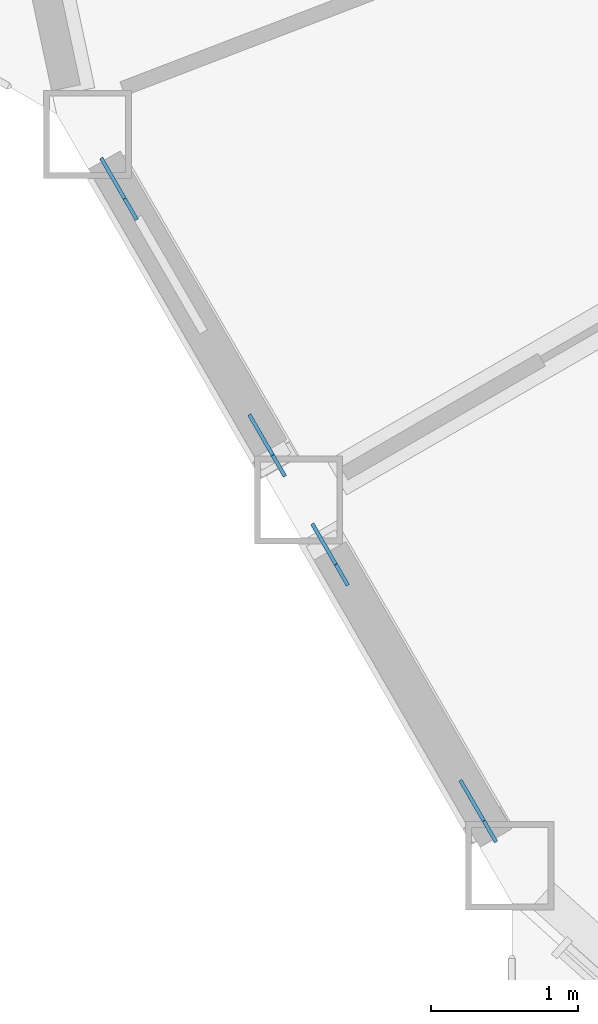
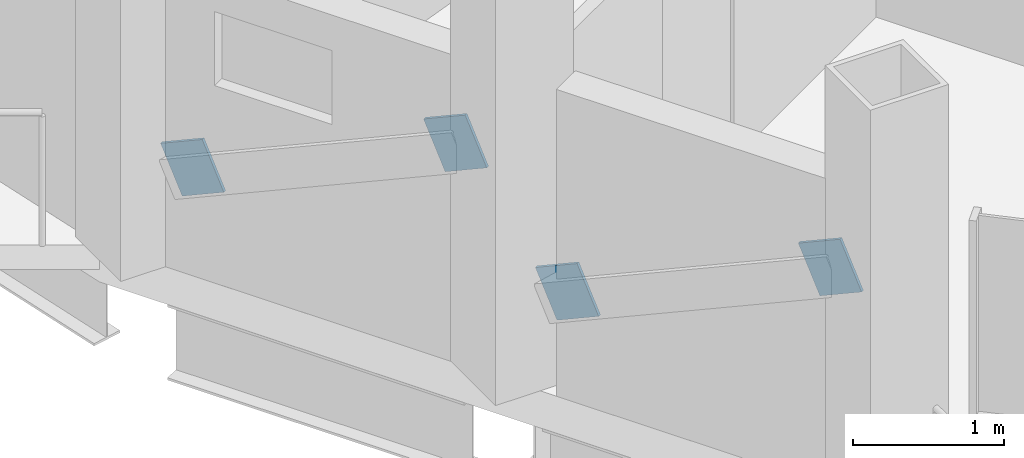
# One storey, part 20 of 27: 4 discrete accessories.
"""IFC4 building model written with IfcOpenShell, lengths in metres."""

from ifc_helpers import new_model, si_unit, direction, frame, origin, origin_2d, place, context, subcontext, project, spatial, rectangle, extrude, material, material_profile, profile_set, type_object, element, save


model = new_model("IFC4")

# Units and contexts
model_context = context("Model", 3, precision=1e-05, world=origin(), true_north=direction((0.0, 1.0)))
body_context = subcontext(model_context, "Body", "Model", "MODEL_VIEW")
ifc_project = project(units=[si_unit("LENGTHUNIT", "METRE"), si_unit("AREAUNIT", "SQUARE_METRE"), si_unit("VOLUMEUNIT", "CUBIC_METRE"), si_unit("PLANEANGLEUNIT", "RADIAN"), si_unit("MASSUNIT", "GRAM", prefix="KILO")], contexts=[model_context])

# Site, building, storey
site_placement = place(None, origin())
site = spatial("IfcSite", under=ifc_project, at=site_placement, CompositionType="ELEMENT")
building_placement = place(site_placement, origin())
building = spatial("IfcBuilding", under=site, at=building_placement, Name="Cormorant Prow Tower", CompositionType="ELEMENT")
storey_placement = place(building_placement, frame((0.0, 0.0, 335.800048828125)))
storey = spatial("IfcBuildingStorey", under=building, at=storey_placement, Name="L75", CompositionType="ELEMENT", Elevation=335.800048828125)

# Discrete accessories
ifc_material = material(Name="Structural steel ASTM A500 Gr C", Category="steel")
ifc_material_profile = material_profile(ifc_material, rectangle(XDim=0.02490234375, YDim=0.405029296875, at=origin_2d()), Name="Gusset plate 25x405")
ifc_profile_set = profile_set([ifc_material_profile], Name="Structural steel ASTM A500 Gr C")
discrete_accessory_type = type_object("IfcDiscreteAccessoryType", Name="Gusset plate 25x405", PredefinedType="BRACKET", material=ifc_profile_set)
for number, where, z_axis, x_axis, name in (
    (1, (-28.574951171875, -13.85888671875, 0.86376953125), (-0.456239480558, 0.790396531303, -0.408801736402), (-0.866071029786, -0.499920965119, 0.0), "Gusset plate GP3 L75.WSW00.g0"),
    (2, (-27.7265625, -15.328369140625, 1.6240234375), (0.456239480558, -0.790396531303, 0.408801736402), (0.866071029786, 0.499920965119, 0.0), "Gusset plate GP3 L75.WSW00.g1"),
    (3, (-27.137939453125, -16.34765625, 0.86376953125), (-0.45649114423, 0.790134518758, -0.409027233209), (-0.865879799044, -0.500252110048, 0.0), "Gusset plate GP3 L75.WSW01.g0"),
):
    element("IfcDiscreteAccessory", number, at=place(storey_placement, frame(where, z_axis=z_axis, x_axis=x_axis)), inside=storey, type_object=discrete_accessory_type, Name=name, PredefinedType="BRACKET", context=body_context, shape_type="SweptSolid", body=[
        extrude(rectangle(XDim=0.02490234375, YDim=0.405029296875, at=origin_2d()), origin(), (0.0, 0.0, 1.0), 0.349853515625),
    ])
discrete_accessory_placement = place(storey_placement, frame((-26.289794921875, -17.817138671875, 1.6240234375), z_axis=(0.456791619277, -0.790144892581, 0.408671586101), x_axis=(0.865740004385, 0.50049400077, 0.0)))
element("IfcDiscreteAccessory", 4, at=discrete_accessory_placement, inside=storey, type_object=discrete_accessory_type, Name="Gusset plate GP3 L75.WSW01.g1", PredefinedType="BRACKET", context=body_context, shape_type="SweptSolid", body=[
    extrude(rectangle(XDim=0.02490234375, YDim=0.405029296875, at=origin_2d()), origin(), (0.0, 0.0, 1.0), 0.35009765625),
])

save(model, "model.ifc")
